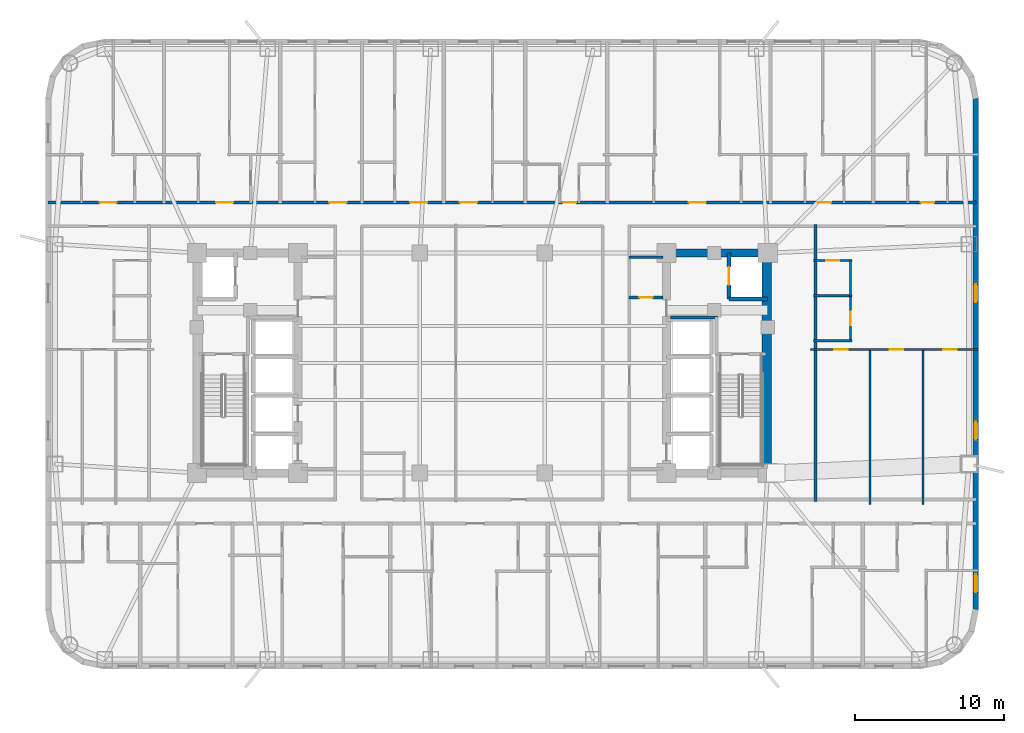
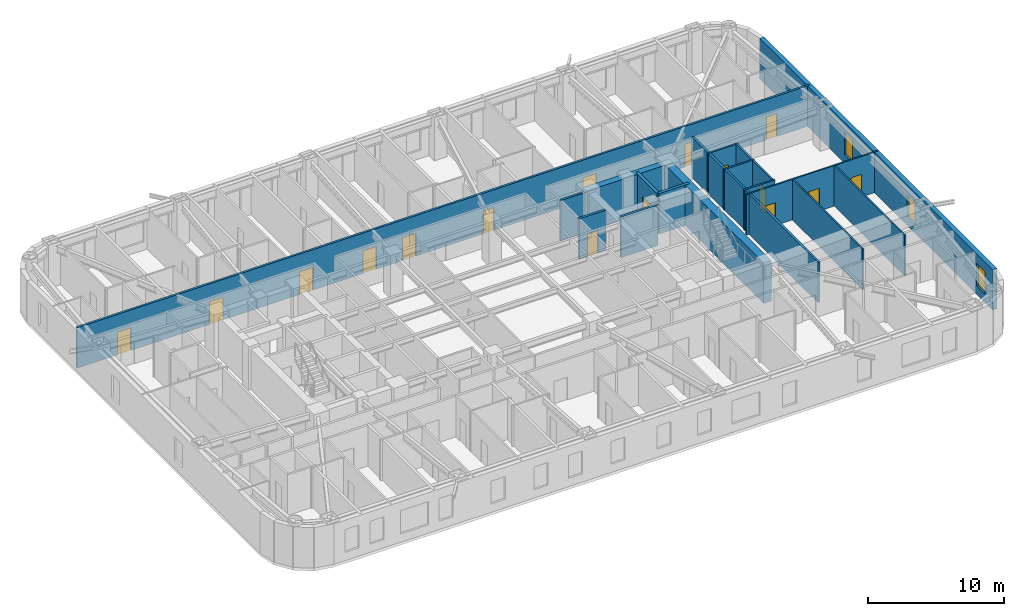
# One storey, part 7 of 12: 20 walls, 16 doors, 3 windows, 19 openings.
"""IFC4 building model written with IfcOpenShell, lengths in metres."""

from ifc_helpers import new_model, si_unit, direction, frame, frame_2d, origin, place, context, subcontext, project, spatial, rectangle, extrude, material, layer, layer_set, type_object, element, fill, save


model = new_model("IFC4")

# Units and contexts
model_context = context("Model", 3, precision=1e-05, world=origin(), true_north=direction((0.0, 1.0)))
body_context = subcontext(model_context, "Body", "Model", "MODEL_VIEW")
ifc_project = project(units=[si_unit("LENGTHUNIT", "METRE"), si_unit("AREAUNIT", "SQUARE_METRE"), si_unit("VOLUMEUNIT", "CUBIC_METRE"), si_unit("PLANEANGLEUNIT", "RADIAN"), si_unit("MASSUNIT", "GRAM", prefix="KILO")], contexts=[model_context])

# Site, building, storey
site_placement = place(None, origin())
site = spatial("IfcSite", under=ifc_project, at=site_placement, CompositionType="ELEMENT")
building_placement = place(site_placement, origin())
building = spatial("IfcBuilding", under=site, at=building_placement, Name="Voryun Gate Residences", CompositionType="ELEMENT")
storey_placement = place(building_placement, frame((0.0, 0.0, 109.199951171875)))
storey = spatial("IfcBuildingStorey", under=building, at=storey_placement, Name="L26", CompositionType="ELEMENT", Elevation=109.199951171875)

# Walls
ifc_material_1 = material(Name="Concrete C60/75", Category="concrete")
ifc_layer_1 = layer(ifc_material_1, 0.550048828125, Name="CW_CORE_550")
ifc_layer_set_1 = layer_set([ifc_layer_1], Name="Concrete C60/75")
wall_type_1 = type_object("IfcWallType", Name="CW_CORE_550", PredefinedType="SHEAR", material=ifc_layer_set_1)
wall_1_placement = place(storey_placement, frame((12.125, 7.39990234375, 0.0), z_axis=(0.0, 0.0, 1.0), x_axis=(1.0, 0.0, 0.0)))
element("IfcWall", 1, at=wall_1_placement, inside=storey, type_object=wall_type_1, Name="L26 Core shear wall CW-L26-EN", PredefinedType="SHEAR", context=body_context, shape_type="SweptSolid", body=[
    extrude(rectangle(XDim=7.35009765625, YDim=0.550048828125, at=frame_2d((3.675048828125, 0.0))), origin(), (0.0, 0.0, 1.0), 3.650146484375),
])
ifc_material_2 = material(Name="Concrete C60/75", Category="concrete")
ifc_layer_2 = layer(ifc_material_2, 0.64990234375, Name="CW_CORE_650")
ifc_layer_set_2 = layer_set([ifc_layer_2], Name="Concrete C60/75")
wall_type_2 = type_object("IfcWallType", Name="CW_CORE_650", PredefinedType="SHEAR", material=ifc_layer_set_2)
wall_2_placement = place(storey_placement, frame((19.14501953125, -7.39990234375, 0.0), z_axis=(0.0, 0.0, 1.0), x_axis=(0.0, 1.0, 0.0)))
element("IfcWall", 2, at=wall_2_placement, inside=storey, type_object=wall_type_2, Name="L26 Core shear wall CW-L26-EE", PredefinedType="SHEAR", context=body_context, shape_type="SweptSolid", body=[
    extrude(rectangle(XDim=14.7998046875, YDim=0.64990234375, at=frame_2d((7.39990234375, 0.0))), origin(), (0.0, 0.0, 1.0), 3.650146484375),
])
ifc_material_3 = material(Name="Gypsum acoustic fireboard")
ifc_layer_3 = layer(ifc_material_3, 0.179931640625, Name="W_CORR_RATED_180")
ifc_layer_set_3 = layer_set([ifc_layer_3], Name="Gypsum acoustic fireboard")
wall_type_3 = type_object("IfcWallType", Name="W_CORR_RATED_180", PredefinedType="PARTITIONING", material=ifc_layer_set_3)
wall_3_placement = place(storey_placement, frame((9.8798828125, 7.1201171875, 0.0), z_axis=(0.0, 0.0, 1.0), x_axis=(1.0, 0.0, 0.0)))
element("IfcWall", 3, at=wall_3_placement, inside=storey, type_object=wall_type_3, Name="Partition wall WP-L26-PLBN-E", PredefinedType="PARTITIONING", context=body_context, shape_type="SweptSolid", body=[
    extrude(rectangle(XDim=2.27001953125, YDim=0.179931640625, at=frame_2d((1.135009765625, 0.0))), origin(), (0.0, 0.0, 1.0), 3.650146484375),
])

# Wall, openings, doors
wall_4_placement = place(storey_placement, frame((-29.2099609375, 10.800048828125, 0.0), z_axis=(0.0, 0.0, 1.0), x_axis=(1.0, 0.0, 0.0)))
wall_4 = element("IfcWall", 4, at=wall_4_placement, inside=storey, type_object=wall_type_3, Name="Partition wall WP-L26-NCORR", PredefinedType="PARTITIONING", context=body_context, shape_type="SweptSolid", body=[
    extrude(rectangle(XDim=62.419921875, YDim=0.179931640625, at=frame_2d((31.2099609375, 0.0))), origin(), (0.0, 0.0, 1.0), 3.650146484375),
])
opening_1_placement = place(wall_4_placement, frame((3.457275390625, 0.0, 0.0)))
opening_1 = element("IfcOpeningElement", 5, at=opening_1_placement, cuts=wall_4, Name="Opening D-UNIT-1", PredefinedType="OPENING", context=body_context, shape_type="SweptSolid", body=[
    extrude(rectangle(XDim=1.14990234375, YDim=2.050048828125, at=frame_2d((0.574951171875, 1.02490234375))), frame((0.0, 0.099853515625, 0.0), z_axis=(0.0, -1.0, 0.0), x_axis=(1.0, 0.0, 0.0)), (0.0, 0.0, 1.0), 0.199951171875),
])
opening_2_placement = place(wall_4_placement, frame((11.29736328125, 0.0, 0.0)))
opening_2 = element("IfcOpeningElement", 6, at=opening_2_placement, cuts=wall_4, Name="Opening D-UNIT-1", PredefinedType="OPENING", context=body_context, shape_type="SweptSolid", body=[
    extrude(rectangle(XDim=1.14990234375, YDim=2.050048828125, at=frame_2d((0.574951171875, 1.02490234375))), frame((0.0, 0.099853515625, 0.0), z_axis=(0.0, -1.0, 0.0), x_axis=(1.0, 0.0, 0.0)), (0.0, 0.0, 1.0), 0.199951171875),
])
opening_3_placement = place(wall_4_placement, frame((18.925048828125, 0.0, 0.0)))
opening_3 = element("IfcOpeningElement", 7, at=opening_3_placement, cuts=wall_4, Name="Opening D-UNIT-1", PredefinedType="OPENING", context=body_context, shape_type="SweptSolid", body=[
    extrude(rectangle(XDim=1.14990234375, YDim=2.050048828125, at=frame_2d((0.574951171875, 1.02490234375))), frame((0.0, 0.099853515625, 0.0), z_axis=(0.0, -1.0, 0.0), x_axis=(1.0, 0.0, 0.0)), (0.0, 0.0, 1.0), 0.199951171875),
])
opening_4_placement = place(wall_4_placement, frame((24.36181640625, 0.0, 0.0)))
opening_4 = element("IfcOpeningElement", 8, at=opening_4_placement, cuts=wall_4, Name="Opening D-UNIT-1", PredefinedType="OPENING", context=body_context, shape_type="SweptSolid", body=[
    extrude(rectangle(XDim=1.14990234375, YDim=2.050048828125, at=frame_2d((0.574951171875, 1.02490234375))), frame((0.0, 0.099853515625, 0.0), z_axis=(0.0, -1.0, 0.0), x_axis=(1.0, 0.0, 0.0)), (0.0, 0.0, 1.0), 0.199951171875),
])
opening_5_placement = place(wall_4_placement, frame((27.70751953125, 0.0, 0.0)))
opening_5 = element("IfcOpeningElement", 9, at=opening_5_placement, cuts=wall_4, Name="Opening D-UNIT-1", PredefinedType="OPENING", context=body_context, shape_type="SweptSolid", body=[
    extrude(rectangle(XDim=1.14990234375, YDim=2.050048828125, at=frame_2d((0.574951171875, 1.02490234375))), frame((0.0, 0.099853515625, 0.0), z_axis=(0.0, -1.0, 0.0), x_axis=(1.0, 0.0, 0.0)), (0.0, 0.0, 1.0), 0.199951171875),
])
opening_6_placement = place(wall_4_placement, frame((34.61767578125, 0.0, 0.0)))
opening_6 = element("IfcOpeningElement", 10, at=opening_6_placement, cuts=wall_4, Name="Opening D-INT-2", PredefinedType="OPENING", context=body_context, shape_type="SweptSolid", body=[
    extrude(rectangle(XDim=0.89990234375, YDim=2.050048828125, at=frame_2d((0.449951171875, 1.02490234375))), frame((0.0, 0.099853515625, 0.0), z_axis=(0.0, -1.0, 0.0), x_axis=(1.0, 0.0, 0.0)), (0.0, 0.0, 1.0), 0.199951171875),
])
opening_7_placement = place(wall_4_placement, frame((43.1064453125, 0.0, 0.0)))
opening_7 = element("IfcOpeningElement", 11, at=opening_7_placement, cuts=wall_4, Name="Opening D-UNIT-1", PredefinedType="OPENING", context=body_context, shape_type="SweptSolid", body=[
    extrude(rectangle(XDim=1.14990234375, YDim=2.050048828125, at=frame_2d((0.574951171875, 1.02490234375))), frame((0.0, 0.099853515625, 0.0), z_axis=(0.0, -1.0, 0.0), x_axis=(1.0, 0.0, 0.0)), (0.0, 0.0, 1.0), 0.199951171875),
])
opening_8_placement = place(wall_4_placement, frame((51.77685546875, 0.0, 0.0)))
opening_8 = element("IfcOpeningElement", 12, at=opening_8_placement, cuts=wall_4, Name="Opening D-INT-2", PredefinedType="OPENING", context=body_context, shape_type="SweptSolid", body=[
    extrude(rectangle(XDim=0.89990234375, YDim=2.050048828125, at=frame_2d((0.449951171875, 1.02490234375))), frame((0.0, 0.099853515625, 0.0), z_axis=(0.0, -1.0, 0.0), x_axis=(1.0, 0.0, 0.0)), (0.0, 0.0, 1.0), 0.199951171875),
])
opening_9_placement = place(wall_4_placement, frame((58.718017578125, 0.0, 0.0)))
opening_9 = element("IfcOpeningElement", 13, at=opening_9_placement, cuts=wall_4, Name="Opening D-INT-2", PredefinedType="OPENING", context=body_context, shape_type="SweptSolid", body=[
    extrude(rectangle(XDim=0.89990234375, YDim=2.050048828125, at=frame_2d((0.449951171875, 1.02490234375))), frame((0.0, 0.099853515625, 0.0), z_axis=(0.0, -1.0, 0.0), x_axis=(1.0, 0.0, 0.0)), (0.0, 0.0, 1.0), 0.199951171875),
])
ifc_material_4 = material(Name="Architectural oak veneer")
door_type_1 = type_object("IfcDoorType", Name="DR_INT_BATH_900", OperationType="NOTDEFINED", PredefinedType="DOOR", material=ifc_material_4)
door_1_placement = place(opening_6_placement, origin())
door_1 = element("IfcDoor", 14, at=door_1_placement, inside=storey, type_object=door_type_1, Name="Door DR-L26-NENT-6", OperationType="SINGLE_SWING_RIGHT", OverallHeight=2.050048828125, OverallWidth=0.89990234375, PredefinedType="DOOR", context=body_context, shape_type="SweptSolid", body=[
    extrude(rectangle(XDim=0.89990234375, YDim=2.050048828125, at=frame_2d((0.449951171875, 1.02490234375))), frame((0.0, 0.02490234375, 0.0), z_axis=(0.0, -1.0, 0.0), x_axis=(1.0, 0.0, 0.0)), (0.0, 0.0, 1.0), 0.050048828125),
])
fill(opening_6, door_1)
door_2_placement = place(opening_8_placement, origin())
door_2 = element("IfcDoor", 15, at=door_2_placement, inside=storey, type_object=door_type_1, Name="Door DR-L26-NENT-8", OperationType="SINGLE_SWING_RIGHT", OverallHeight=2.050048828125, OverallWidth=0.89990234375, PredefinedType="DOOR", context=body_context, shape_type="SweptSolid", body=[
    extrude(rectangle(XDim=0.89990234375, YDim=2.050048828125, at=frame_2d((0.449951171875, 1.02490234375))), frame((0.0, 0.02490234375, 0.0), z_axis=(0.0, -1.0, 0.0), x_axis=(1.0, 0.0, 0.0)), (0.0, 0.0, 1.0), 0.050048828125),
])
fill(opening_8, door_2)
door_3_placement = place(opening_9_placement, origin())
door_3 = element("IfcDoor", 16, at=door_3_placement, inside=storey, type_object=door_type_1, Name="Door DR-L26-NENT-9", OperationType="SINGLE_SWING_LEFT", OverallHeight=2.050048828125, OverallWidth=0.89990234375, PredefinedType="DOOR", context=body_context, shape_type="SweptSolid", body=[
    extrude(rectangle(XDim=0.89990234375, YDim=2.050048828125, at=frame_2d((0.449951171875, 1.02490234375))), frame((0.0, 0.02490234375, 0.0), z_axis=(0.0, -1.0, 0.0), x_axis=(1.0, 0.0, 0.0)), (0.0, 0.0, 1.0), 0.050048828125),
])
fill(opening_9, door_3)
ifc_material_5 = material(Name="Armoured timber-clad fire door", Category="wood")
door_type_2 = type_object("IfcDoorType", Name="DR_UNIT_ENTRY_1150", OperationType="NOTDEFINED", PredefinedType="DOOR", material=ifc_material_5)
door_4_placement = place(opening_1_placement, origin())
door_4 = element("IfcDoor", 17, at=door_4_placement, inside=storey, type_object=door_type_2, Name="Door DR-L26-NENT-1", OperationType="SINGLE_SWING_LEFT", OverallHeight=2.050048828125, OverallWidth=1.14990234375, PredefinedType="DOOR", context=body_context, shape_type="SweptSolid", body=[
    extrude(rectangle(XDim=1.14990234375, YDim=2.050048828125, at=frame_2d((0.574951171875, 1.02490234375))), frame((0.0, 0.02490234375, 0.0), z_axis=(0.0, -1.0, 0.0), x_axis=(1.0, 0.0, 0.0)), (0.0, 0.0, 1.0), 0.050048828125),
])
fill(opening_1, door_4)
door_5_placement = place(opening_2_placement, origin())
door_5 = element("IfcDoor", 18, at=door_5_placement, inside=storey, type_object=door_type_2, Name="Door DR-L26-NENT-2", OperationType="SINGLE_SWING_RIGHT", OverallHeight=2.050048828125, OverallWidth=1.14990234375, PredefinedType="DOOR", context=body_context, shape_type="SweptSolid", body=[
    extrude(rectangle(XDim=1.14990234375, YDim=2.050048828125, at=frame_2d((0.574951171875, 1.02490234375))), frame((0.0, 0.02490234375, 0.0), z_axis=(0.0, -1.0, 0.0), x_axis=(1.0, 0.0, 0.0)), (0.0, 0.0, 1.0), 0.050048828125),
])
fill(opening_2, door_5)
door_6_placement = place(opening_3_placement, origin())
door_6 = element("IfcDoor", 19, at=door_6_placement, inside=storey, type_object=door_type_2, Name="Door DR-L26-NENT-3", OperationType="SINGLE_SWING_LEFT", OverallHeight=2.050048828125, OverallWidth=1.14990234375, PredefinedType="DOOR", context=body_context, shape_type="SweptSolid", body=[
    extrude(rectangle(XDim=1.14990234375, YDim=2.050048828125, at=frame_2d((0.574951171875, 1.02490234375))), frame((0.0, 0.02490234375, 0.0), z_axis=(0.0, -1.0, 0.0), x_axis=(1.0, 0.0, 0.0)), (0.0, 0.0, 1.0), 0.050048828125),
])
fill(opening_3, door_6)
door_7_placement = place(opening_4_placement, origin())
door_7 = element("IfcDoor", 20, at=door_7_placement, inside=storey, type_object=door_type_2, Name="Door DR-L26-NENT-4", OperationType="SINGLE_SWING_RIGHT", OverallHeight=2.050048828125, OverallWidth=1.14990234375, PredefinedType="DOOR", context=body_context, shape_type="SweptSolid", body=[
    extrude(rectangle(XDim=1.14990234375, YDim=2.050048828125, at=frame_2d((0.574951171875, 1.02490234375))), frame((0.0, 0.02490234375, 0.0), z_axis=(0.0, -1.0, 0.0), x_axis=(1.0, 0.0, 0.0)), (0.0, 0.0, 1.0), 0.050048828125),
])
fill(opening_4, door_7)
door_8_placement = place(opening_5_placement, origin())
door_8 = element("IfcDoor", 21, at=door_8_placement, inside=storey, type_object=door_type_2, Name="Door DR-L26-NENT-5", OperationType="SINGLE_SWING_LEFT", OverallHeight=2.050048828125, OverallWidth=1.14990234375, PredefinedType="DOOR", context=body_context, shape_type="SweptSolid", body=[
    extrude(rectangle(XDim=1.14990234375, YDim=2.050048828125, at=frame_2d((0.574951171875, 1.02490234375))), frame((0.0, 0.02490234375, 0.0), z_axis=(0.0, -1.0, 0.0), x_axis=(1.0, 0.0, 0.0)), (0.0, 0.0, 1.0), 0.050048828125),
])
fill(opening_5, door_8)
door_9_placement = place(opening_7_placement, origin())
door_9 = element("IfcDoor", 22, at=door_9_placement, inside=storey, type_object=door_type_2, Name="Door DR-L26-NENT-7", OperationType="SINGLE_SWING_LEFT", OverallHeight=2.050048828125, OverallWidth=1.14990234375, PredefinedType="DOOR", context=body_context, shape_type="SweptSolid", body=[
    extrude(rectangle(XDim=1.14990234375, YDim=2.050048828125, at=frame_2d((0.574951171875, 1.02490234375))), frame((0.0, 0.02490234375, 0.0), z_axis=(0.0, -1.0, 0.0), x_axis=(1.0, 0.0, 0.0)), (0.0, 0.0, 1.0), 0.050048828125),
])
fill(opening_7, door_9)

# Wall
wall_5_placement = place(storey_placement, frame((22.419921875, -9.31005859375, 0.0), z_axis=(0.0, 0.0, 1.0), x_axis=(0.0, 1.0, 0.0)))
element("IfcWall", 23, at=wall_5_placement, inside=storey, type_object=wall_type_3, Name="Partition wall WP-L26-ECOR", PredefinedType="PARTITIONING", context=body_context, shape_type="SweptSolid", body=[
    extrude(rectangle(XDim=18.6201171875, YDim=0.179931640625, at=frame_2d((9.31005859375, 0.0))), origin(), (0.0, 0.0, 1.0), 3.650146484375),
])

# Wall, openings, windows
ifc_material_6 = material(Name="Granite masonry", Category="masonry")
ifc_layer_4 = layer(ifc_material_6, 0.3798828125, Name="W_EXT_GRANITE_380")
ifc_layer_set_4 = layer_set([ifc_layer_4], Name="Granite masonry")
wall_type_4 = type_object("IfcWallType", Name="W_EXT_GRANITE_380", PredefinedType="ELEMENTEDWALL", material=ifc_layer_set_4)
wall_6_placement = place(storey_placement, frame((33.2099609375, 17.78125, 0.0), z_axis=(0.0, 0.0, 1.0), x_axis=(0.0, -1.0, 0.0)))
wall_6 = element("IfcWall", 24, at=wall_6_placement, inside=storey, type_object=wall_type_4, Name="Exterior wall WEXT-L26-16", PredefinedType="ELEMENTEDWALL", context=body_context, shape_type="SweptSolid", body=[
    extrude(rectangle(XDim=34.362548828125, YDim=0.3798828125, at=frame_2d((17.18115234375, 0.0))), origin(), (0.0, 0.0, 1.0), 3.650146484375),
])
opening_10_placement = place(wall_6_placement, frame((32.00830078125, 0.0, 0.75)))
opening_10 = element("IfcOpeningElement", 25, at=opening_10_placement, cuts=wall_6, Name="Opening WN6", PredefinedType="OPENING", context=body_context, shape_type="SweptSolid", body=[
    extrude(rectangle(XDim=1.199951171875, YDim=2.050048828125, at=frame_2d((0.60009765625, 1.02490234375))), frame((0.0, 0.199951171875, 0.0), z_axis=(0.0, -1.0, 0.0), x_axis=(1.0, 0.0, 0.0)), (0.0, 0.0, 1.0), 0.39990234375),
])
opening_11_placement = place(wall_6_placement, frame((12.486328125, 0.0, 0.75)))
opening_11 = element("IfcOpeningElement", 26, at=opening_11_placement, cuts=wall_6, Name="Opening WN6", PredefinedType="OPENING", context=body_context, shape_type="SweptSolid", body=[
    extrude(rectangle(XDim=1.199951171875, YDim=2.050048828125, at=frame_2d((0.60009765625, 1.02490234375))), frame((0.0, 0.199951171875, 0.0), z_axis=(0.0, -1.0, 0.0), x_axis=(1.0, 0.0, 0.0)), (0.0, 0.0, 1.0), 0.39990234375),
])
opening_12_placement = place(wall_6_placement, frame((21.736328125, 0.0, 0.75)))
opening_12 = element("IfcOpeningElement", 27, at=opening_12_placement, cuts=wall_6, Name="Opening WN6", PredefinedType="OPENING", context=body_context, shape_type="SweptSolid", body=[
    extrude(rectangle(XDim=1.199951171875, YDim=2.050048828125, at=frame_2d((0.60009765625, 1.02490234375))), frame((0.0, 0.199951171875, 0.0), z_axis=(0.0, -1.0, 0.0), x_axis=(1.0, 0.0, 0.0)), (0.0, 0.0, 1.0), 0.39990234375),
])
ifc_material_7 = material(Name="Laminated low-E glass", Category="glass")
window_type = type_object("IfcWindowType", Name="WN_POD_SLOT_1200", PartitioningType="SINGLE_PANEL", PredefinedType="WINDOW", material=ifc_material_7)
window_1_placement = place(opening_10_placement, origin())
window_1 = element("IfcWindow", 28, at=window_1_placement, inside=storey, type_object=window_type, Name="Window WN-L26-DWFIX-29", OverallHeight=2.050048828125, OverallWidth=1.199951171875, PartitioningType="SINGLE_PANEL", PredefinedType="WINDOW", context=body_context, shape_type="SweptSolid", body=[
    extrude(rectangle(XDim=1.199951171875, YDim=2.050048828125, at=frame_2d((0.60009765625, 1.02490234375))), frame((0.0, 0.030029296875, 0.0), z_axis=(0.0, -1.0, 0.0), x_axis=(1.0, 0.0, 0.0)), (0.0, 0.0, 1.0), 0.06005859375),
])
fill(opening_10, window_1)
window_2_placement = place(opening_11_placement, origin())
window_2 = element("IfcWindow", 29, at=window_2_placement, inside=storey, type_object=window_type, Name="Window WN-L26-DWFIX-32", OverallHeight=2.050048828125, OverallWidth=1.199951171875, PartitioningType="SINGLE_PANEL", PredefinedType="WINDOW", context=body_context, shape_type="SweptSolid", body=[
    extrude(rectangle(XDim=1.199951171875, YDim=2.050048828125, at=frame_2d((0.60009765625, 1.02490234375))), frame((0.0, 0.030029296875, 0.0), z_axis=(0.0, -1.0, 0.0), x_axis=(1.0, 0.0, 0.0)), (0.0, 0.0, 1.0), 0.06005859375),
])
fill(opening_11, window_2)
window_3_placement = place(opening_12_placement, origin())
window_3 = element("IfcWindow", 30, at=window_3_placement, inside=storey, type_object=window_type, Name="Window WN-L26-DWFIX-33", OverallHeight=2.050048828125, OverallWidth=1.199951171875, PartitioningType="SINGLE_PANEL", PredefinedType="WINDOW", context=body_context, shape_type="SweptSolid", body=[
    extrude(rectangle(XDim=1.199951171875, YDim=2.050048828125, at=frame_2d((0.60009765625, 1.02490234375))), frame((0.0, 0.030029296875, 0.0), z_axis=(0.0, -1.0, 0.0), x_axis=(1.0, 0.0, 0.0)), (0.0, 0.0, 1.0), 0.06005859375),
])
fill(opening_12, window_3)

# Wall
ifc_material_8 = material(Name="Concrete C40/50", Category="concrete")
ifc_layer_5 = layer(ifc_material_8, 0.199951171875, Name="W_FF_LOBBY_200")
ifc_layer_set_5 = layer_set([ifc_layer_5], Name="Concrete C40/50")
wall_type_5 = type_object("IfcWallType", Name="W_FF_LOBBY_200", PredefinedType="PARTITIONING", material=ifc_layer_set_5)
wall_7_placement = place(storey_placement, frame((12.659912109375, 3.06005859375, 0.0), z_axis=(0.0, 0.0, 1.0), x_axis=(1.0, 0.0, 0.0)))
element("IfcWall", 31, at=wall_7_placement, inside=storey, type_object=wall_type_5, Name="Partition wall WP-L26-FFPS-E", PredefinedType="PARTITIONING", context=body_context, shape_type="SweptSolid", body=[
    extrude(rectangle(XDim=3.16015625, YDim=0.199951171875, at=frame_2d((1.580078125, 0.0))), origin(), (0.0, 0.0, 1.0), 3.650146484375),
])

# Wall, opening, door
wall_8_placement = place(storey_placement, frame((9.8798828125, 4.409912109375, 0.0), z_axis=(0.0, 0.0, 1.0), x_axis=(1.0, 0.0, 0.0)))
wall_8 = element("IfcWall", 32, at=wall_8_placement, inside=storey, type_object=wall_type_5, Name="Partition wall WP-L26-CSFLKS-E", PredefinedType="PARTITIONING", context=body_context, shape_type="SweptSolid", body=[
    extrude(rectangle(XDim=2.27001953125, YDim=0.199951171875, at=frame_2d((1.135009765625, 0.0))), origin(), (0.0, 0.0, 1.0), 3.650146484375),
])
opening_13_placement = place(wall_8_placement, frame((0.68505859375, 0.0, 0.0)))
opening_13 = element("IfcOpeningElement", 33, at=opening_13_placement, cuts=wall_8, Name="Opening D-FD60-4", PredefinedType="OPENING", context=body_context, shape_type="SweptSolid", body=[
    extrude(rectangle(XDim=0.89990234375, YDim=2.050048828125, at=frame_2d((0.449951171875, 1.02490234375))), frame((0.0, 0.110107421875, 0.0), z_axis=(0.0, -1.0, 0.0), x_axis=(1.0, 0.0, 0.0)), (0.0, 0.0, 1.0), 0.219970703125),
])
ifc_material_9 = material(Name="Painted steel fire door", Category="steel")
door_type_3 = type_object("IfcDoorType", Name="DR_FD60_RISER_900", OperationType="NOTDEFINED", PredefinedType="DOOR", material=ifc_material_9)
door_10_placement = place(opening_13_placement, origin())
door_10 = element("IfcDoor", 34, at=door_10_placement, inside=storey, type_object=door_type_3, Name="Door DR-L26-CSFLK-E", OperationType="SINGLE_SWING_RIGHT", OverallHeight=2.050048828125, OverallWidth=0.89990234375, PredefinedType="DOOR", context=body_context, shape_type="SweptSolid", body=[
    extrude(rectangle(XDim=0.89990234375, YDim=2.050048828125, at=frame_2d((0.449951171875, 1.02490234375))), frame((0.0, 0.02490234375, 0.0), z_axis=(0.0, -1.0, 0.0), x_axis=(1.0, 0.0, 0.0)), (0.0, 0.0, 1.0), 0.050048828125),
])
fill(opening_13, door_10)

# Wall
ifc_material_10 = material(Name="Concrete C50/60", Category="concrete")
ifc_layer_6 = layer(ifc_material_10, 0.25, Name="W_SHAFT_RC250")
ifc_layer_set_6 = layer_set([ifc_layer_6], Name="Concrete C50/60")
wall_type_6 = type_object("IfcWallType", Name="W_SHAFT_RC250", PredefinedType="SOLIDWALL", material=ifc_layer_set_6)
wall_9_placement = place(storey_placement, frame((16.60009765625, 4.300048828125, 0.0), z_axis=(0.0, 0.0, 1.0), x_axis=(1.0, 0.0, 0.0)))
element("IfcWall", 35, at=wall_9_placement, inside=storey, type_object=wall_type_6, Name="Lift shaft wall WSH-L26-EL-FF-E1-S", PredefinedType="SOLIDWALL", context=body_context, shape_type="SweptSolid", body=[
    extrude(rectangle(XDim=2.599853515625, YDim=0.25, at=frame_2d((1.2998046875, 0.0))), origin(), (0.0, 0.0, 1.0), 3.650146484375),
])

# Wall, opening, door
wall_10_placement = place(storey_placement, frame((16.60009765625, 7.39990234375, 0.0), z_axis=(0.0, 0.0, 1.0), x_axis=(0.0, -1.0, 0.0)))
wall_10 = element("IfcWall", 36, at=wall_10_placement, inside=storey, type_object=wall_type_6, Name="Lift shaft wall WSH-L26-EL-FF-E1-W", PredefinedType="SOLIDWALL", context=body_context, shape_type="SweptSolid", body=[
    extrude(rectangle(XDim=3.099853515625, YDim=0.25, at=frame_2d((1.5498046875, 0.0))), origin(), (0.0, 0.0, 1.0), 3.650146484375),
])
opening_14_placement = place(wall_10_placement, frame((0.949951171875, 0.0, 0.0)))
opening_14 = element("IfcOpeningElement", 37, at=opening_14_placement, cuts=wall_10, Name="Opening LD1", PredefinedType="OPENING", context=body_context, shape_type="SweptSolid", body=[
    extrude(rectangle(XDim=1.199951171875, YDim=2.050048828125, at=frame_2d((0.60009765625, 1.02490234375))), frame((0.0, 0.135009765625, 0.0), z_axis=(0.0, -1.0, 0.0), x_axis=(1.0, 0.0, 0.0)), (0.0, 0.0, 1.0), 0.27001953125),
])
ifc_material_11 = material(Name="Anodised aluminium", Category="aluminium")
door_type_4 = type_object("IfcDoorType", Name="DR_LD_FF_1200", OperationType="NOTDEFINED", PredefinedType="DOOR", material=ifc_material_11)
door_11_placement = place(opening_14_placement, origin())
door_11 = element("IfcDoor", 38, at=door_11_placement, inside=storey, type_object=door_type_4, Name="Lift EL-FF-E1 sliding landing door L26", OperationType="SLIDING_TO_LEFT", OverallHeight=2.050048828125, OverallWidth=1.199951171875, PredefinedType="DOOR", context=body_context, shape_type="SweptSolid", body=[
    extrude(rectangle(XDim=1.199951171875, YDim=2.050048828125, at=frame_2d((0.60009765625, 1.02490234375))), frame((0.0, 0.02490234375, 0.0), z_axis=(0.0, -1.0, 0.0), x_axis=(1.0, 0.0, 0.0)), (0.0, 0.0, 1.0), 0.050048828125),
])
fill(opening_14, door_11)

ifc_material_12 = material(Name="Gypsum acoustic partition")
ifc_layer_7 = layer(ifc_material_12, 0.125, Name="W_UNIT_PART_125")
ifc_layer_set_7 = layer_set([ifc_layer_7], Name="Gypsum acoustic partition")
wall_type_7 = type_object("IfcWallType", Name="W_UNIT_PART_125", PredefinedType="PARTITIONING", material=ifc_layer_set_7)
wall_11_placement = place(storey_placement, frame((22.10009765625, 0.909912109375, 0.0), z_axis=(0.0, 0.0, 1.0), x_axis=(1.0, 0.0, 0.0)))
wall_11 = element("IfcWall", 39, at=wall_11_placement, inside=storey, type_object=wall_type_7, Name="Partition wall WP-L26-E1-HZMB1", PredefinedType="PARTITIONING", context=body_context, shape_type="SweptSolid", body=[
    extrude(rectangle(XDim=4.053466796875, YDim=0.125, at=frame_2d((2.02685546875, 0.0))), origin(), (0.0, 0.0, 1.0), 3.650146484375),
])
opening_15_placement = place(wall_11_placement, frame((1.58544921875, 0.0, 0.0)))
opening_15 = element("IfcOpeningElement", 40, at=opening_15_placement, cuts=wall_11, Name="Opening D-INT-2", PredefinedType="OPENING", context=body_context, shape_type="SweptSolid", body=[
    extrude(rectangle(XDim=0.89990234375, YDim=2.050048828125, at=frame_2d((0.449951171875, 1.02490234375))), frame((0.0, 0.072509765625, 0.0), z_axis=(0.0, -1.0, 0.0), x_axis=(1.0, 0.0, 0.0)), (0.0, 0.0, 1.0), 0.14501953125),
])
door_12_placement = place(opening_15_placement, origin())
door_12 = element("IfcDoor", 41, at=door_12_placement, inside=storey, type_object=door_type_1, Name="Door DR-L26-E1-DMB", OperationType="SINGLE_SWING_LEFT", OverallHeight=2.050048828125, OverallWidth=0.89990234375, PredefinedType="DOOR", context=body_context, shape_type="SweptSolid", body=[
    extrude(rectangle(XDim=0.89990234375, YDim=2.050048828125, at=frame_2d((0.449951171875, 1.02490234375))), frame((0.0, 0.02490234375, 0.0), z_axis=(0.0, -1.0, 0.0), x_axis=(1.0, 0.0, 0.0)), (0.0, 0.0, 1.0), 0.050048828125),
])
fill(opening_15, door_12)

wall_12_placement = place(storey_placement, frame((26.028564453125, 0.909912109375, 0.0), z_axis=(0.0, 0.0, 1.0), x_axis=(1.0, 0.0, 0.0)))
wall_12 = element("IfcWall", 42, at=wall_12_placement, inside=storey, type_object=wall_type_7, Name="Partition wall WP-L26-E1-HZMB2", PredefinedType="PARTITIONING", context=body_context, shape_type="SweptSolid", body=[
    extrude(rectangle(XDim=3.68798828125, YDim=0.125, at=frame_2d((1.843994140625, 0.0))), origin(), (0.0, 0.0, 1.0), 3.650146484375),
])
opening_16_placement = place(wall_12_placement, frame((1.39404296875, 0.0, 0.0)))
opening_16 = element("IfcOpeningElement", 43, at=opening_16_placement, cuts=wall_12, Name="Opening D-INT-2", PredefinedType="OPENING", context=body_context, shape_type="SweptSolid", body=[
    extrude(rectangle(XDim=0.89990234375, YDim=2.050048828125, at=frame_2d((0.449951171875, 1.02490234375))), frame((0.0, 0.072509765625, 0.0), z_axis=(0.0, -1.0, 0.0), x_axis=(1.0, 0.0, 0.0)), (0.0, 0.0, 1.0), 0.14501953125),
])
door_13_placement = place(opening_16_placement, origin())
door_13 = element("IfcDoor", 44, at=door_13_placement, inside=storey, type_object=door_type_1, Name="Door DR-L26-E1-DBD2", OperationType="SINGLE_SWING_RIGHT", OverallHeight=2.050048828125, OverallWidth=0.89990234375, PredefinedType="DOOR", context=body_context, shape_type="SweptSolid", body=[
    extrude(rectangle(XDim=0.89990234375, YDim=2.050048828125, at=frame_2d((0.449951171875, 1.02490234375))), frame((0.0, 0.02490234375, 0.0), z_axis=(0.0, -1.0, 0.0), x_axis=(1.0, 0.0, 0.0)), (0.0, 0.0, 1.0), 0.050048828125),
])
fill(opening_16, door_13)

wall_13_placement = place(storey_placement, frame((29.591552734375, 0.909912109375, 0.0), z_axis=(0.0, 0.0, 1.0), x_axis=(1.0, 0.0, 0.0)))
wall_13 = element("IfcWall", 45, at=wall_13_placement, inside=storey, type_object=wall_type_7, Name="Partition wall WP-L26-E1-HZMB3", PredefinedType="PARTITIONING", context=body_context, shape_type="SweptSolid", body=[
    extrude(rectangle(XDim=3.7685546875, YDim=0.125, at=frame_2d((1.88427734375, 0.0))), origin(), (0.0, 0.0, 1.0), 3.650146484375),
])
opening_17_placement = place(wall_13_placement, frame((1.425537109375, 0.0, 0.0)))
opening_17 = element("IfcOpeningElement", 46, at=opening_17_placement, cuts=wall_13, Name="Opening D-INT-2", PredefinedType="OPENING", context=body_context, shape_type="SweptSolid", body=[
    extrude(rectangle(XDim=0.89990234375, YDim=2.050048828125, at=frame_2d((0.449951171875, 1.02490234375))), frame((0.0, 0.072509765625, 0.0), z_axis=(0.0, -1.0, 0.0), x_axis=(1.0, 0.0, 0.0)), (0.0, 0.0, 1.0), 0.14501953125),
])
door_14_placement = place(opening_17_placement, origin())
door_14 = element("IfcDoor", 47, at=door_14_placement, inside=storey, type_object=door_type_1, Name="Door DR-L26-E1-DBD3", OperationType="SINGLE_SWING_LEFT", OverallHeight=2.050048828125, OverallWidth=0.89990234375, PredefinedType="DOOR", context=body_context, shape_type="SweptSolid", body=[
    extrude(rectangle(XDim=0.89990234375, YDim=2.050048828125, at=frame_2d((0.449951171875, 1.02490234375))), frame((0.0, 0.02490234375, 0.0), z_axis=(0.0, -1.0, 0.0), x_axis=(1.0, 0.0, 0.0)), (0.0, 0.0, 1.0), 0.050048828125),
])
fill(opening_17, door_14)

# Walls
for number, where, z_axis, x_axis, name in (
    (48, (29.654052734375, -9.510009765625, 0.0), (0.0, 0.0, 1.0), (0.0, 1.0, 0.0), "Partition wall WP-L26-E1-VMB2"),
    (49, (26.091064453125, -9.510009765625, 0.0), (0.0, 0.0, 1.0), (0.0, 1.0, 0.0), "Partition wall WP-L26-E1-VMB"),
):
    element("IfcWall", number, at=place(storey_placement, frame(where, z_axis=z_axis, x_axis=x_axis)), inside=storey, type_object=wall_type_7, Name=name, PredefinedType="PARTITIONING", context=body_context, shape_type="SweptSolid", body=[
        extrude(rectangle(XDim=10.47998046875, YDim=0.125, at=frame_2d((5.239990234375, 0.0))), origin(), (0.0, 0.0, 1.0), 3.650146484375),
    ])

# Wall, opening, door
ifc_material_13 = material(Name="Gypsum moisture-resistant partition")
ifc_layer_8 = layer(ifc_material_13, 0.14990234375, Name="W_WET_PLUMB_150")
ifc_layer_set_8 = layer_set([ifc_layer_8], Name="Gypsum moisture-resistant partition")
wall_type_8 = type_object("IfcWallType", Name="W_WET_PLUMB_150", PredefinedType="PLUMBINGWALL", material=ifc_layer_set_8)
wall_14_placement = place(storey_placement, frame((22.27001953125, 6.89990234375, 0.0), z_axis=(0.0, 0.0, 1.0), x_axis=(1.0, 0.0, 0.0)))
wall_14 = element("IfcWall", 50, at=wall_14_placement, inside=storey, type_object=wall_type_8, Name="Partition wall WP-L26-E1-IBT", PredefinedType="PLUMBINGWALL", context=body_context, shape_type="SweptSolid", body=[
    extrude(rectangle(XDim=2.619873046875, YDim=0.14990234375, at=frame_2d((1.31005859375, 0.0))), origin(), (0.0, 0.0, 1.0), 3.650146484375),
])
opening_18_placement = place(wall_14_placement, frame((0.860107421875, 0.0, 0.0)))
opening_18 = element("IfcOpeningElement", 51, at=opening_18_placement, cuts=wall_14, Name="Opening D-INT-2", PredefinedType="OPENING", context=body_context, shape_type="SweptSolid", body=[
    extrude(rectangle(XDim=0.89990234375, YDim=2.050048828125, at=frame_2d((0.449951171875, 1.02490234375))), frame((0.0, 0.0849609375, 0.0), z_axis=(0.0, -1.0, 0.0), x_axis=(1.0, 0.0, 0.0)), (0.0, 0.0, 1.0), 0.169921875),
])
door_15_placement = place(opening_18_placement, origin())
door_15 = element("IfcDoor", 52, at=door_15_placement, inside=storey, type_object=door_type_1, Name="Door DR-L26-E1-DK", OperationType="SINGLE_SWING_LEFT", OverallHeight=2.050048828125, OverallWidth=0.89990234375, PredefinedType="DOOR", context=body_context, shape_type="SweptSolid", body=[
    extrude(rectangle(XDim=0.89990234375, YDim=2.050048828125, at=frame_2d((0.449951171875, 1.02490234375))), frame((0.0, 0.02490234375, 0.0), z_axis=(0.0, -1.0, 0.0), x_axis=(1.0, 0.0, 0.0)), (0.0, 0.0, 1.0), 0.050048828125),
])
fill(opening_18, door_15)

# Walls
for number, where, z_axis, x_axis, name in (
    (53, (22.27001953125, 4.52001953125, 0.0), (0.0, 0.0, 1.0), (1.0, 0.0, 0.0), "Partition wall WP-L26-E1-IKB"),
    (54, (22.27001953125, 1.5, 0.0), (0.0, 0.0, 1.0), (1.0, 0.0, 0.0), "Partition wall WP-L26-E1-IBB"),
):
    element("IfcWall", number, at=place(storey_placement, frame(where, z_axis=z_axis, x_axis=x_axis)), inside=storey, type_object=wall_type_8, Name=name, PredefinedType="PLUMBINGWALL", context=body_context, shape_type="SweptSolid", body=[
        extrude(rectangle(XDim=2.619873046875, YDim=0.14990234375, at=frame_2d((1.31005859375, 0.0))), origin(), (0.0, 0.0, 1.0), 3.650146484375),
    ])

# Wall, opening, door
wall_15_placement = place(storey_placement, frame((24.77001953125, 1.43994140625, 0.0), z_axis=(0.0, 0.0, 1.0), x_axis=(0.0, 1.0, 0.0)))
wall_15 = element("IfcWall", 55, at=wall_15_placement, inside=storey, type_object=wall_type_8, Name="Partition wall WP-L26-E1-VTSK1", PredefinedType="PLUMBINGWALL", context=body_context, shape_type="SweptSolid", body=[
    extrude(rectangle(XDim=3.1201171875, YDim=0.14990234375, at=frame_2d((1.56005859375, 0.0))), origin(), (0.0, 0.0, 1.0), 3.650146484375),
])
opening_19_placement = place(wall_15_placement, frame((1.110107421875, 0.0, 0.0)))
opening_19 = element("IfcOpeningElement", 56, at=opening_19_placement, cuts=wall_15, Name="Opening D-INT-2", PredefinedType="OPENING", context=body_context, shape_type="SweptSolid", body=[
    extrude(rectangle(XDim=0.89990234375, YDim=2.050048828125, at=frame_2d((0.449951171875, 1.02490234375))), frame((0.0, 0.0849609375, 0.0), z_axis=(0.0, -1.0, 0.0), x_axis=(1.0, 0.0, 0.0)), (0.0, 0.0, 1.0), 0.169921875),
])
door_16_placement = place(opening_19_placement, origin())
door_16 = element("IfcDoor", 57, at=door_16_placement, inside=storey, type_object=door_type_1, Name="Door DR-L26-E1-DB", OperationType="SINGLE_SWING_RIGHT", OverallHeight=2.050048828125, OverallWidth=0.89990234375, PredefinedType="DOOR", context=body_context, shape_type="SweptSolid", body=[
    extrude(rectangle(XDim=0.89990234375, YDim=2.050048828125, at=frame_2d((0.449951171875, 1.02490234375))), frame((0.0, 0.02490234375, 0.0), z_axis=(0.0, -1.0, 0.0), x_axis=(1.0, 0.0, 0.0)), (0.0, 0.0, 1.0), 0.050048828125),
])
fill(opening_19, door_16)

# Wall
wall_16_placement = place(storey_placement, frame((24.77001953125, 4.47998046875, 0.0), z_axis=(0.0, 0.0, 1.0), x_axis=(0.0, 1.0, 0.0)))
element("IfcWall", 58, at=wall_16_placement, inside=storey, type_object=wall_type_8, Name="Partition wall WP-L26-E1-VTSK2", PredefinedType="PLUMBINGWALL", context=body_context, shape_type="SweptSolid", body=[
    extrude(rectangle(XDim=2.47998046875, YDim=0.14990234375, at=frame_2d((1.239990234375, 0.0))), origin(), (0.0, 0.0, 1.0), 3.650146484375),
])

save(model, "model.ifc")
